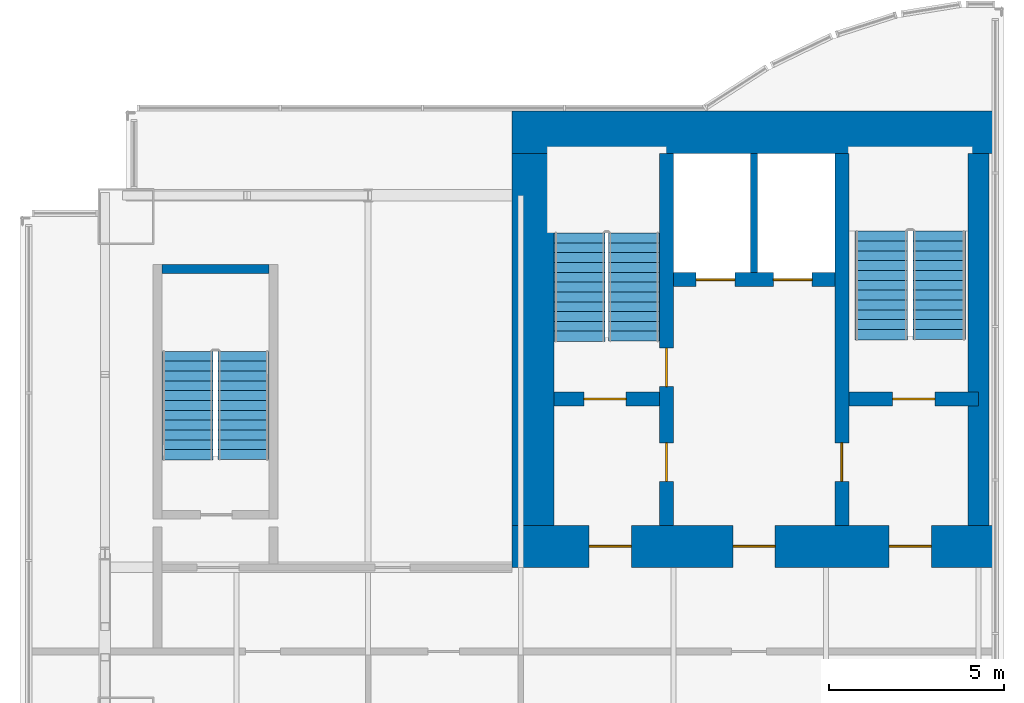
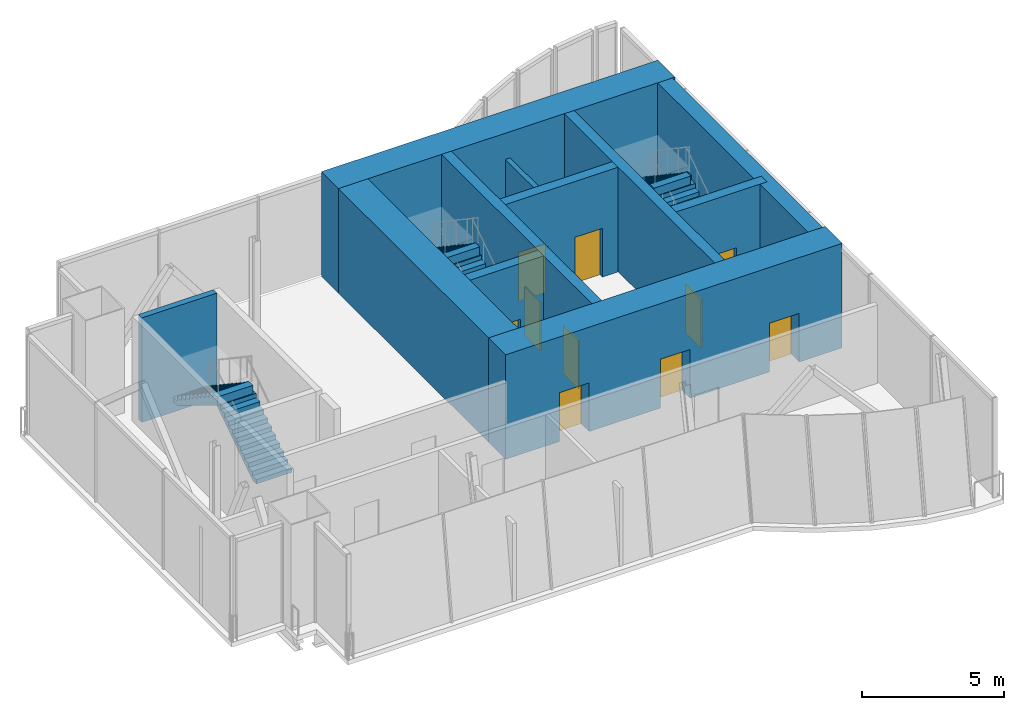
# One storey, part 4 of 6: 11 walls, 10 doors, 6 stair flights, 10 openings, 3 elements without a shape of their own.
"""IFC4 building model written with IfcOpenShell, lengths in metres."""

from ifc_helpers import new_model, si_unit, direction, frame, frame_2d, origin, place, context, subcontext, project, spatial, polyline, rectangle, outline, extrude, material, layer, layer_set, type_object, element, fill, aggregate, save


model = new_model("IFC4")

# Units and contexts
model_context = context("Model", 3, precision=1e-05, world=origin(), true_north=direction((0.0, 1.0)))
body_context = subcontext(model_context, "Body", "Model", "MODEL_VIEW")
ifc_project = project(units=[si_unit("LENGTHUNIT", "METRE"), si_unit("AREAUNIT", "SQUARE_METRE"), si_unit("VOLUMEUNIT", "CUBIC_METRE"), si_unit("PLANEANGLEUNIT", "RADIAN"), si_unit("MASSUNIT", "GRAM", prefix="KILO")], contexts=[model_context])

# Site, building, storey
site_placement = place(None, origin())
site = spatial("IfcSite", under=ifc_project, at=site_placement, CompositionType="ELEMENT")
building_placement = place(site_placement, origin())
building = spatial("IfcBuilding", under=site, at=building_placement, Name="Bicima Exchange Tower", CompositionType="ELEMENT")
storey_placement = place(building_placement, frame((0.0, 0.0, 365.89990234375)))
storey = spatial("IfcBuildingStorey", under=building, at=storey_placement, Name="L82", CompositionType="ELEMENT", Elevation=365.89990234375)

# Walls
ifc_material_1 = material(Name="Gypsum board partition")
ifc_layer_1 = layer(ifc_material_1, 0.199951171875)
ifc_layer_set_1 = layer_set([ifc_layer_1], Name="Gypsum board partition")
wall_type_1 = type_object("IfcWallType", Name="Fire-rated gypsum partition 200 EI120", PredefinedType="PARTITIONING", material=ifc_layer_set_1)
wall_1_placement = place(storey_placement, frame((-15.10009765625, -4.60009765625, 0.0), z_axis=(0.0, 0.0, 1.0), x_axis=(0.0, 1.0, 0.0)))
element("IfcWall", 1, at=wall_1_placement, inside=storey, type_object=wall_type_1, Name="partition wall 5", PredefinedType="PARTITIONING", context=body_context, shape_type="SweptSolid", body=[
    extrude(rectangle(XDim=3.400146484375, YDim=0.199951171875, at=frame_2d((1.7001953125, 0.0))), origin(), (0.0, 0.0, 1.0), 3.368408203125),
])
ifc_material_2 = material(Name="Concrete C40/50", Category="concrete")
ifc_layer_2 = layer(ifc_material_2, 1.199951171875)
ifc_layer_set_2 = layer_set([ifc_layer_2], Name="Concrete C40/50")
wall_type_2 = type_object("IfcWallType", Name="RC core wall 1200 C40/50", PredefinedType="SHEAR", material=ifc_layer_set_2)
wall_2_placement = place(storey_placement, frame((-22.0, -0.60009765625, 0.0), z_axis=(0.0, 0.0, 1.0), x_axis=(1.0, 0.0, 0.0)))
element("IfcWall", 2, at=wall_2_placement, inside=storey, type_object=wall_type_2, Name="Core wall north-W", PredefinedType="SHEAR", context=body_context, shape_type="SweptSolid", body=[
    extrude(rectangle(XDim=13.699951171875, YDim=1.199951171875, at=frame_2d((6.85009765625, 0.0))), origin(), (0.0, 0.0, 1.0), 4.5),
])

# Wall, openings, doors
wall_3_placement = place(storey_placement, frame((-22.0, -12.39990234375, 0.0), z_axis=(0.0, 0.0, 1.0), x_axis=(1.0, 0.0, 0.0)))
wall_3 = element("IfcWall", 3, at=wall_3_placement, inside=storey, type_object=wall_type_2, Name="Core wall south-W", PredefinedType="SHEAR", context=body_context, shape_type="SweptSolid", body=[
    extrude(rectangle(XDim=13.699951171875, YDim=1.199951171875, at=frame_2d((6.85009765625, 0.0))), origin(), (0.0, 0.0, 1.0), 4.5),
])
opening_1_placement = place(wall_3_placement, frame((2.199951171875, 0.0, 0.0)))
opening_1 = element("IfcOpeningElement", 4, at=opening_1_placement, cuts=wall_3, Name="Opening L82-C06", PredefinedType="OPENING", context=body_context, shape_type="SweptSolid", body=[
    extrude(rectangle(XDim=1.199951171875, YDim=2.10009765625, at=frame_2d((0.60009765625, 1.050048828125))), frame((0.0, 0.61181640625, 0.0), z_axis=(0.0, -1.0, 0.0), x_axis=(1.0, 0.0, 0.0)), (0.0, 0.0, 1.0), 1.223876953125),
])
opening_2_placement = place(wall_3_placement, frame((10.75, 0.0, 0.0)))
opening_2 = element("IfcOpeningElement", 5, at=opening_2_placement, cuts=wall_3, Name="Opening L82-C07", PredefinedType="OPENING", context=body_context, shape_type="SweptSolid", body=[
    extrude(rectangle(XDim=1.199951171875, YDim=2.10009765625, at=frame_2d((0.60009765625, 1.050048828125))), frame((0.0, 0.61181640625, 0.0), z_axis=(0.0, -1.0, 0.0), x_axis=(1.0, 0.0, 0.0)), (0.0, 0.0, 1.0), 1.223876953125),
])
opening_3_placement = place(wall_3_placement, frame((6.300048828125, 0.0, 0.0)))
opening_3 = element("IfcOpeningElement", 6, at=opening_3_placement, cuts=wall_3, Name="Opening L82-C08", PredefinedType="OPENING", context=body_context, shape_type="SweptSolid", body=[
    extrude(rectangle(XDim=1.199951171875, YDim=2.10009765625, at=frame_2d((0.60009765625, 1.050048828125))), frame((0.0, 0.61181640625, 0.0), z_axis=(0.0, -1.0, 0.0), x_axis=(1.0, 0.0, 0.0)), (0.0, 0.0, 1.0), 1.223876953125),
])
ifc_material_3 = material(Name="Steel fire door leaf", Category="steel")
door_type_1 = type_object("IfcDoorType", Name="Door 1200 swing FD60S", OperationType="SINGLE_SWING_LEFT", PredefinedType="DOOR", material=ifc_material_3)
door_1_placement = place(opening_1_placement, frame((1.199951171875, 0.0, 0.0), z_axis=(0.0, 0.0, 1.0), x_axis=(-1.0, 0.0, 0.0)))
door_1 = element("IfcDoor", 7, at=door_1_placement, inside=storey, type_object=door_type_1, Name="Core door", OperationType="SINGLE_SWING_RIGHT", OverallHeight=2.10009765625, OverallWidth=1.199951171875, PredefinedType="DOOR", context=body_context, shape_type="SweptSolid", body=[
    extrude(rectangle(XDim=1.199951171875, YDim=2.10009765625, at=frame_2d((0.60009765625, 1.050048828125))), frame((0.0, 0.02490234375, 0.0), z_axis=(0.0, -1.0, 0.0), x_axis=(1.0, 0.0, 0.0)), (0.0, 0.0, 1.0), 0.050048828125),
])
fill(opening_1, door_1)
door_2_placement = place(opening_2_placement, frame((1.199951171875, 0.0, 0.0), z_axis=(0.0, 0.0, 1.0), x_axis=(-1.0, 0.0, 0.0)))
door_2 = element("IfcDoor", 8, at=door_2_placement, inside=storey, type_object=door_type_1, Name="Core door", OperationType="SINGLE_SWING_RIGHT", OverallHeight=2.10009765625, OverallWidth=1.199951171875, PredefinedType="DOOR", context=body_context, shape_type="SweptSolid", body=[
    extrude(rectangle(XDim=1.199951171875, YDim=2.10009765625, at=frame_2d((0.60009765625, 1.050048828125))), frame((0.0, 0.02490234375, 0.0), z_axis=(0.0, -1.0, 0.0), x_axis=(1.0, 0.0, 0.0)), (0.0, 0.0, 1.0), 0.050048828125),
])
fill(opening_2, door_2)
door_3_placement = place(opening_3_placement, frame((1.199951171875, 0.0, 0.0), z_axis=(0.0, 0.0, 1.0), x_axis=(-1.0, 0.0, 0.0)))
door_3 = element("IfcDoor", 9, at=door_3_placement, inside=storey, type_object=door_type_1, Name="Core door", OperationType="SINGLE_SWING_RIGHT", OverallHeight=2.10009765625, OverallWidth=1.199951171875, PredefinedType="DOOR", context=body_context, shape_type="SweptSolid", body=[
    extrude(rectangle(XDim=1.199951171875, YDim=2.10009765625, at=frame_2d((0.60009765625, 1.050048828125))), frame((0.0, 0.02490234375, 0.0), z_axis=(0.0, -1.0, 0.0), x_axis=(1.0, 0.0, 0.0)), (0.0, 0.0, 1.0), 0.050048828125),
])
fill(opening_3, door_3)

# Wall
wall_4_placement = place(storey_placement, frame((-21.39990234375, -11.800048828125, 0.0), z_axis=(0.0, 0.0, 1.0), x_axis=(0.0, 1.0, 0.0)))
element("IfcWall", 10, at=wall_4_placement, inside=storey, type_object=wall_type_2, Name="Core wall outer-W", PredefinedType="SHEAR", context=body_context, shape_type="SweptSolid", body=[
    extrude(rectangle(XDim=10.60009765625, YDim=1.199951171875, at=frame_2d((5.300048828125, 0.0))), origin(), (0.0, 0.0, 1.0), 4.5),
])

# Wall, openings, doors
ifc_layer_3 = layer(ifc_material_2, 0.39990234375)
ifc_layer_set_3 = layer_set([ifc_layer_3], Name="Concrete C40/50")
wall_type_3 = type_object("IfcWallType", Name="RC core wall 400 C40/50", PredefinedType="SHEAR", material=ifc_layer_set_3)
wall_5_placement = place(storey_placement, frame((-17.39990234375, -4.800048828125, 0.0), z_axis=(0.0, 0.0, 1.0), x_axis=(1.0, 0.0, 0.0)))
wall_5 = element("IfcWall", 11, at=wall_5_placement, inside=storey, type_object=wall_type_3, Name="shear wall 3", PredefinedType="SHEAR", context=body_context, shape_type="SweptSolid", body=[
    extrude(rectangle(XDim=4.599853515625, YDim=0.39990234375, at=frame_2d((2.2998046875, 0.0))), origin(), (0.0, 0.0, 1.0), 4.5),
])
opening_4_placement = place(wall_5_placement, frame((0.64990234375, 0.0, 0.0)))
opening_4 = element("IfcOpeningElement", 12, at=opening_4_placement, cuts=wall_5, Name="Opening LD-FF1-L82", PredefinedType="OPENING", context=body_context, shape_type="SweptSolid", body=[
    extrude(rectangle(XDim=1.10009765625, YDim=2.10009765625, at=frame_2d((0.550048828125, 1.050048828125))), frame((0.0, 0.2119140625, 0.0), z_axis=(0.0, -1.0, 0.0), x_axis=(1.0, 0.0, 0.0)), (0.0, 0.0, 1.0), 0.423828125),
])
opening_5_placement = place(wall_5_placement, frame((2.85009765625, 0.0, 0.0)))
opening_5 = element("IfcOpeningElement", 13, at=opening_5_placement, cuts=wall_5, Name="Opening LD-FF3-L82", PredefinedType="OPENING", context=body_context, shape_type="SweptSolid", body=[
    extrude(rectangle(XDim=1.10009765625, YDim=2.10009765625, at=frame_2d((0.550048828125, 1.050048828125))), frame((0.0, 0.2119140625, 0.0), z_axis=(0.0, -1.0, 0.0), x_axis=(1.0, 0.0, 0.0)), (0.0, 0.0, 1.0), 0.423828125),
])
ifc_material_4 = material(Name="Stainless steel", Category="steel")
door_type_2 = type_object("IfcDoorType", Name="Lift landing door 1100 sliding", OperationType="DOUBLE_DOOR_SLIDING", PredefinedType="DOOR", material=ifc_material_4)
door_4_placement = place(opening_4_placement, origin())
door_4 = element("IfcDoor", 14, at=door_4_placement, inside=storey, type_object=door_type_2, Name="Lift landing door FF1", OperationType="DOUBLE_DOOR_SLIDING", OverallHeight=2.10009765625, OverallWidth=1.10009765625, PredefinedType="DOOR", context=body_context, shape_type="SweptSolid", body=[
    extrude(rectangle(XDim=1.10009765625, YDim=2.10009765625, at=frame_2d((0.550048828125, 1.050048828125))), frame((0.0, 0.02490234375, 0.0), z_axis=(0.0, -1.0, 0.0), x_axis=(1.0, 0.0, 0.0)), (0.0, 0.0, 1.0), 0.050048828125),
])
fill(opening_4, door_4)
door_5_placement = place(opening_5_placement, origin())
door_5 = element("IfcDoor", 15, at=door_5_placement, inside=storey, type_object=door_type_2, Name="Lift landing door FF3", OperationType="DOUBLE_DOOR_SLIDING", OverallHeight=2.10009765625, OverallWidth=1.10009765625, PredefinedType="DOOR", context=body_context, shape_type="SweptSolid", body=[
    extrude(rectangle(XDim=1.10009765625, YDim=2.10009765625, at=frame_2d((0.550048828125, 1.050048828125))), frame((0.0, 0.02490234375, 0.0), z_axis=(0.0, -1.0, 0.0), x_axis=(1.0, 0.0, 0.0)), (0.0, 0.0, 1.0), 0.050048828125),
])
fill(opening_5, door_5)

# Wall, opening, door
ifc_material_5 = material(Name="Concrete C50/60", Category="concrete")
ifc_layer_4 = layer(ifc_material_5, 0.39990234375)
ifc_layer_set_4 = layer_set([ifc_layer_4], Name="Concrete C50/60")
wall_type_4 = type_object("IfcWallType", Name="RC core wall 400 C50/60", PredefinedType="SHEAR", material=ifc_layer_set_4)
wall_6_placement = place(storey_placement, frame((-20.800048828125, -8.199951171875, 0.0), z_axis=(0.0, 0.0, 1.0), x_axis=(1.0, 0.0, 0.0)))
wall_6 = element("IfcWall", 16, at=wall_6_placement, inside=storey, type_object=wall_type_4, Name="stair wall 1", PredefinedType="SHEAR", context=body_context, shape_type="SweptSolid", body=[
    extrude(rectangle(XDim=3.0, YDim=0.39990234375, at=frame_2d((1.5, 0.0))), origin(), (0.0, 0.0, 1.0), 4.5),
])
opening_6_placement = place(wall_6_placement, frame((0.85009765625, 0.0, 0.0)))
opening_6 = element("IfcOpeningElement", 17, at=opening_6_placement, cuts=wall_6, Name="Opening L82-C01", PredefinedType="OPENING", context=body_context, shape_type="SweptSolid", body=[
    extrude(rectangle(XDim=1.199951171875, YDim=2.10009765625, at=frame_2d((0.60009765625, 1.050048828125))), frame((0.0, 0.2119140625, 0.0), z_axis=(0.0, -1.0, 0.0), x_axis=(1.0, 0.0, 0.0)), (0.0, 0.0, 1.0), 0.423828125),
])
door_6_placement = place(opening_6_placement, origin())
door_6 = element("IfcDoor", 18, at=door_6_placement, inside=storey, type_object=door_type_1, Name="Core door", OperationType="SINGLE_SWING_LEFT", OverallHeight=2.10009765625, OverallWidth=1.199951171875, PredefinedType="DOOR", context=body_context, shape_type="SweptSolid", body=[
    extrude(rectangle(XDim=1.199951171875, YDim=2.10009765625, at=frame_2d((0.60009765625, 1.050048828125))), frame((0.0, 0.02490234375, 0.0), z_axis=(0.0, -1.0, 0.0), x_axis=(1.0, 0.0, 0.0)), (0.0, 0.0, 1.0), 0.050048828125),
])
fill(opening_6, door_6)

wall_7_placement = place(storey_placement, frame((-12.39990234375, -8.199951171875, 0.0), z_axis=(0.0, 0.0, 1.0), x_axis=(1.0, 0.0, 0.0)))
wall_7 = element("IfcWall", 19, at=wall_7_placement, inside=storey, type_object=wall_type_4, Name="stair wall 2", PredefinedType="SHEAR", context=body_context, shape_type="SweptSolid", body=[
    extrude(rectangle(XDim=3.699951171875, YDim=0.39990234375, at=frame_2d((1.85009765625, 0.0))), origin(), (0.0, 0.0, 1.0), 4.5),
])
opening_7_placement = place(wall_7_placement, frame((1.25, 0.0, 0.0)))
opening_7 = element("IfcOpeningElement", 20, at=opening_7_placement, cuts=wall_7, Name="Opening L82-C03", PredefinedType="OPENING", context=body_context, shape_type="SweptSolid", body=[
    extrude(rectangle(XDim=1.199951171875, YDim=2.10009765625, at=frame_2d((0.60009765625, 1.050048828125))), frame((0.0, 0.2119140625, 0.0), z_axis=(0.0, -1.0, 0.0), x_axis=(1.0, 0.0, 0.0)), (0.0, 0.0, 1.0), 0.423828125),
])
door_7_placement = place(opening_7_placement, origin())
door_7 = element("IfcDoor", 21, at=door_7_placement, inside=storey, type_object=door_type_1, Name="Core door", OperationType="SINGLE_SWING_LEFT", OverallHeight=2.10009765625, OverallWidth=1.199951171875, PredefinedType="DOOR", context=body_context, shape_type="SweptSolid", body=[
    extrude(rectangle(XDim=1.199951171875, YDim=2.10009765625, at=frame_2d((0.60009765625, 1.050048828125))), frame((0.0, 0.02490234375, 0.0), z_axis=(0.0, -1.0, 0.0), x_axis=(1.0, 0.0, 0.0)), (0.0, 0.0, 1.0), 0.050048828125),
])
fill(opening_7, door_7)

# Wall, openings, doors
wall_8_placement = place(storey_placement, frame((-17.60009765625, -11.800048828125, 0.0), z_axis=(0.0, 0.0, 1.0), x_axis=(0.0, 1.0, 0.0)))
wall_8 = element("IfcWall", 22, at=wall_8_placement, inside=storey, type_object=wall_type_4, Name="stair wall 4", PredefinedType="SHEAR", context=body_context, shape_type="SweptSolid", body=[
    extrude(rectangle(XDim=10.60009765625, YDim=0.39990234375, at=frame_2d((5.300048828125, 0.0))), origin(), (0.0, 0.0, 1.0), 4.5),
])
opening_8_placement = place(wall_8_placement, frame((1.25, 0.0, 0.0)))
opening_8 = element("IfcOpeningElement", 23, at=opening_8_placement, cuts=wall_8, Name="Opening L82-C02", PredefinedType="OPENING", context=body_context, shape_type="SweptSolid", body=[
    extrude(rectangle(XDim=1.10009765625, YDim=2.10009765625, at=frame_2d((0.550048828125, 1.050048828125))), frame((0.0, 0.2119140625, 0.0), z_axis=(0.0, -1.0, 0.0), x_axis=(1.0, 0.0, 0.0)), (0.0, 0.0, 1.0), 0.423828125),
])
opening_9_placement = place(wall_8_placement, frame((3.949951171875, 0.0, 0.0)))
opening_9 = element("IfcOpeningElement", 24, at=opening_9_placement, cuts=wall_8, Name="Opening L82-C05", PredefinedType="OPENING", context=body_context, shape_type="SweptSolid", body=[
    extrude(rectangle(XDim=1.10009765625, YDim=2.10009765625, at=frame_2d((0.550048828125, 1.050048828125))), frame((0.0, 0.2119140625, 0.0), z_axis=(0.0, -1.0, 0.0), x_axis=(1.0, 0.0, 0.0)), (0.0, 0.0, 1.0), 0.423828125),
])
door_type_3 = type_object("IfcDoorType", Name="Door 1100 swing FD60S", OperationType="SINGLE_SWING_LEFT", PredefinedType="DOOR", material=ifc_material_3)
door_8_placement = place(opening_8_placement, frame((1.10009765625, 0.0, 0.0), z_axis=(0.0, 0.0, 1.0), x_axis=(-1.0, 0.0, 0.0)))
door_8 = element("IfcDoor", 25, at=door_8_placement, inside=storey, type_object=door_type_3, Name="Core door", OperationType="SINGLE_SWING_LEFT", OverallHeight=2.10009765625, OverallWidth=1.10009765625, PredefinedType="DOOR", context=body_context, shape_type="SweptSolid", body=[
    extrude(rectangle(XDim=1.10009765625, YDim=2.10009765625, at=frame_2d((0.550048828125, 1.050048828125))), frame((0.0, 0.02490234375, 0.0), z_axis=(0.0, -1.0, 0.0), x_axis=(1.0, 0.0, 0.0)), (0.0, 0.0, 1.0), 0.050048828125),
])
fill(opening_8, door_8)
door_9_placement = place(opening_9_placement, frame((1.10009765625, 0.0, 0.0), z_axis=(0.0, 0.0, 1.0), x_axis=(-1.0, 0.0, 0.0)))
door_9 = element("IfcDoor", 26, at=door_9_placement, inside=storey, type_object=door_type_3, Name="Core door", OperationType="SINGLE_SWING_RIGHT", OverallHeight=2.10009765625, OverallWidth=1.10009765625, PredefinedType="DOOR", context=body_context, shape_type="SweptSolid", body=[
    extrude(rectangle(XDim=1.10009765625, YDim=2.10009765625, at=frame_2d((0.550048828125, 1.050048828125))), frame((0.0, 0.02490234375, 0.0), z_axis=(0.0, -1.0, 0.0), x_axis=(1.0, 0.0, 0.0)), (0.0, 0.0, 1.0), 0.050048828125),
])
fill(opening_9, door_9)

# Wall, opening, door
wall_9_placement = place(storey_placement, frame((-12.60009765625, -11.800048828125, 0.0), z_axis=(0.0, 0.0, 1.0), x_axis=(0.0, 1.0, 0.0)))
wall_9 = element("IfcWall", 27, at=wall_9_placement, inside=storey, type_object=wall_type_4, Name="stair wall 6", PredefinedType="SHEAR", context=body_context, shape_type="SweptSolid", body=[
    extrude(rectangle(XDim=10.60009765625, YDim=0.39990234375, at=frame_2d((5.300048828125, 0.0))), origin(), (0.0, 0.0, 1.0), 4.5),
])
opening_10_placement = place(wall_9_placement, frame((1.25, 0.0, 0.0)))
opening_10 = element("IfcOpeningElement", 28, at=opening_10_placement, cuts=wall_9, Name="Opening L82-C04", PredefinedType="OPENING", context=body_context, shape_type="SweptSolid", body=[
    extrude(rectangle(XDim=1.10009765625, YDim=2.10009765625, at=frame_2d((0.550048828125, 1.050048828125))), frame((0.0, 0.2119140625, 0.0), z_axis=(0.0, -1.0, 0.0), x_axis=(1.0, 0.0, 0.0)), (0.0, 0.0, 1.0), 0.423828125),
])
door_10_placement = place(opening_10_placement, origin())
door_10 = element("IfcDoor", 29, at=door_10_placement, inside=storey, type_object=door_type_3, Name="Core door", OperationType="SINGLE_SWING_RIGHT", OverallHeight=2.10009765625, OverallWidth=1.10009765625, PredefinedType="DOOR", context=body_context, shape_type="SweptSolid", body=[
    extrude(rectangle(XDim=1.10009765625, YDim=2.10009765625, at=frame_2d((0.550048828125, 1.050048828125))), frame((0.0, 0.02490234375, 0.0), z_axis=(0.0, -1.0, 0.0), x_axis=(1.0, 0.0, 0.0)), (0.0, 0.0, 1.0), 0.050048828125),
])
fill(opening_10, door_10)

# Walls
ifc_layer_5 = layer(ifc_material_2, 0.60009765625)
ifc_layer_set_5 = layer_set([ifc_layer_5], Name="Concrete C40/50")
wall_type_5 = type_object("IfcWallType", Name="RC core wall 600 C40/50", PredefinedType="SHEAR", material=ifc_layer_set_5)
wall_10_placement = place(storey_placement, frame((-8.699951171875, -11.800048828125, 0.0), z_axis=(0.0, 0.0, 1.0), x_axis=(0.0, 1.0, 0.0)))
element("IfcWall", 30, at=wall_10_placement, inside=storey, type_object=wall_type_5, Name="Core wall close-W", PredefinedType="SHEAR", context=body_context, shape_type="SweptSolid", body=[
    extrude(rectangle(XDim=10.60009765625, YDim=0.60009765625, at=frame_2d((5.300048828125, 0.0))), origin(), (0.0, 0.0, 1.0), 4.5),
])
ifc_layer_6 = layer(ifc_material_5, 0.25)
ifc_layer_set_6 = layer_set([ifc_layer_6], Name="Concrete C50/60")
wall_type_6 = type_object("IfcWallType", Name="RC stair enclosure wall 250 C50/60", PredefinedType="SHEAR", material=ifc_layer_set_6)
wall_11_placement = place(storey_placement, frame((-31.97509765625, -4.5, 0.0), z_axis=(0.0, 0.0, 1.0), x_axis=(1.0, 0.0, 0.0)))
element("IfcWall", 31, at=wall_11_placement, inside=storey, type_object=wall_type_6, Name="West end exit stair wall N", PredefinedType="SHEAR", context=body_context, shape_type="SweptSolid", body=[
    extrude(rectangle(XDim=3.050048828125, YDim=0.25, at=frame_2d((1.52490234375, 0.0))), origin(), (0.0, 0.0, 1.0), 4.5),
])

# Stair, stair flights
stair_type_1 = type_object("IfcStairType", Name="Exit stair", PredefinedType="HALF_TURN_STAIR", material=ifc_material_5)
stair_1_placement = place(storey_placement, origin())
stair_1 = element("IfcStair", 32, at=stair_1_placement, inside=storey, type_object=stair_type_1, Name="L82 West exit stair", PredefinedType="HALF_TURN_STAIR")
stair_flight_type_1 = type_object("IfcStairFlightType", Name="Stair flight RC", PredefinedType="STRAIGHT", material=ifc_material_5)
stair_flight_1_placement = place(storey_placement, frame((-18.52490234375, -6.550048828125, 0.0), z_axis=(0.0, 0.0, 1.0), x_axis=(0.0, 1.0, 0.0)))
stair_flight_1 = element("IfcStairFlight", 33, at=stair_flight_1_placement, type_object=stair_flight_type_1, Name="ST-W flight 1", NumberOfRisers=12, NumberOfTreads=11, PredefinedType="STRAIGHT", RiserHeight=0.1875, TreadLength=0.28, context=body_context, shape_type="SweptSolid", body=[
    extrude(outline(polyline([(0.0, 0.0), (0.0, 0.1875), (0.280029296875, 0.1875), (0.280029296875, 0.375), (0.56005859375, 0.375), (0.56005859375, 0.5625), (0.840087890625, 0.5625), (0.840087890625, 0.75), (1.1201171875, 0.75), (1.1201171875, 0.9375), (1.39990234375, 0.9375), (1.39990234375, 1.125), (1.679931640625, 1.125), (1.679931640625, 1.3125), (1.9599609375, 1.3125), (1.9599609375, 1.5), (2.239990234375, 1.5), (2.239990234375, 1.6875), (2.52001953125, 1.6875), (2.52001953125, 1.875), (2.800048828125, 1.875), (2.800048828125, 2.0625), (3.080078125, 2.0625), (3.080078125, 2.25), (3.080078125, 1.882080078125), (0.26953125, 0.0), (0.0, 0.0)])), frame((0.0, 0.72509765625, 0.0), z_axis=(0.0, -1.0, 0.0), x_axis=(1.0, 0.0, 0.0)), (0.0, 0.0, 1.0), 1.449951171875),
])
stair_flight_2_placement = place(storey_placement, frame((-20.074951171875, -3.469970703125, 2.25), z_axis=(0.0, 0.0, 1.0), x_axis=(0.0, -1.0, 0.0)))
stair_flight_2 = element("IfcStairFlight", 34, at=stair_flight_2_placement, type_object=stair_flight_type_1, Name="ST-W flight 2", NumberOfRisers=12, NumberOfTreads=11, PredefinedType="STRAIGHT", RiserHeight=0.1875, TreadLength=0.28, context=body_context, shape_type="SweptSolid", body=[
    extrude(outline(polyline([(0.0, 0.0), (0.0, 0.1875), (0.280029296875, 0.1875), (0.280029296875, 0.375), (0.56005859375, 0.375), (0.56005859375, 0.5625), (0.840087890625, 0.5625), (0.840087890625, 0.75), (1.1201171875, 0.75), (1.1201171875, 0.9375), (1.39990234375, 0.9375), (1.39990234375, 1.125), (1.679931640625, 1.125), (1.679931640625, 1.3125), (1.9599609375, 1.3125), (1.9599609375, 1.5), (2.239990234375, 1.5), (2.239990234375, 1.6875), (2.52001953125, 1.6875), (2.52001953125, 1.875), (2.800048828125, 1.875), (2.800048828125, 2.0625), (3.080078125, 2.0625), (3.094970703125, 2.0625), (3.094970703125, 1.70458984375), (0.26953125, 0.0), (0.0, 0.0)])), frame((0.0, 0.72509765625, 0.0), z_axis=(0.0, -1.0, 0.0), x_axis=(1.0, 0.0, 0.0)), (0.0, 0.0, 1.0), 1.449951171875),
])
aggregate(stair_1, [stair_flight_1, stair_flight_2])

stair_2_placement = place(storey_placement, origin())
stair_2 = element("IfcStair", 35, at=stair_2_placement, inside=storey, type_object=stair_type_1, Name="L82 West end exit stair", PredefinedType="HALF_TURN_STAIR")
stair_flight_3_placement = place(storey_placement, frame((-29.64990234375, -9.925048828125, 0.0), z_axis=(0.0, 0.0, 1.0), x_axis=(0.0, 1.0, 0.0)))
stair_flight_3 = element("IfcStairFlight", 36, at=stair_flight_3_placement, type_object=stair_flight_type_1, Name="ST-WW flight 1", NumberOfRisers=12, NumberOfTreads=11, PredefinedType="STRAIGHT", RiserHeight=0.1875, TreadLength=0.28, context=body_context, shape_type="SweptSolid", body=[
    extrude(outline(polyline([(0.0, 0.0), (0.0, 0.1875), (0.280029296875, 0.1875), (0.280029296875, 0.375), (0.56005859375, 0.375), (0.56005859375, 0.5625), (0.840087890625, 0.5625), (0.840087890625, 0.75), (1.1201171875, 0.75), (1.1201171875, 0.9375), (1.39990234375, 0.9375), (1.39990234375, 1.125), (1.679931640625, 1.125), (1.679931640625, 1.3125), (1.9599609375, 1.3125), (1.9599609375, 1.5), (2.239990234375, 1.5), (2.239990234375, 1.6875), (2.52001953125, 1.6875), (2.52001953125, 1.875), (2.800048828125, 1.875), (2.800048828125, 2.0625), (3.080078125, 2.0625), (3.080078125, 2.25), (3.080078125, 1.882080078125), (0.26953125, 0.0), (0.0, 0.0)])), frame((0.0, 0.72509765625, 0.0), z_axis=(0.0, -1.0, 0.0), x_axis=(1.0, 0.0, 0.0)), (0.0, 0.0, 1.0), 1.449951171875),
])
stair_flight_4_placement = place(storey_placement, frame((-31.25, -6.844970703125, 2.25), z_axis=(0.0, 0.0, 1.0), x_axis=(0.0, -1.0, 0.0)))
stair_flight_4 = element("IfcStairFlight", 37, at=stair_flight_4_placement, type_object=stair_flight_type_1, Name="ST-WW flight 2", NumberOfRisers=12, NumberOfTreads=11, PredefinedType="STRAIGHT", RiserHeight=0.1875, TreadLength=0.28, context=body_context, shape_type="SweptSolid", body=[
    extrude(outline(polyline([(0.0, 0.0), (0.0, 0.1875), (0.280029296875, 0.1875), (0.280029296875, 0.375), (0.56005859375, 0.375), (0.56005859375, 0.5625), (0.840087890625, 0.5625), (0.840087890625, 0.75), (1.1201171875, 0.75), (1.1201171875, 0.9375), (1.39990234375, 0.9375), (1.39990234375, 1.125), (1.679931640625, 1.125), (1.679931640625, 1.3125), (1.9599609375, 1.3125), (1.9599609375, 1.5), (2.239990234375, 1.5), (2.239990234375, 1.6875), (2.52001953125, 1.6875), (2.52001953125, 1.875), (2.800048828125, 1.875), (2.800048828125, 2.0625), (3.080078125, 2.0625), (3.094970703125, 2.0625), (3.094970703125, 1.70458984375), (0.26953125, 0.0), (0.0, 0.0)])), frame((0.0, 0.72509765625, 0.0), z_axis=(0.0, -1.0, 0.0), x_axis=(1.0, 0.0, 0.0)), (0.0, 0.0, 1.0), 1.449951171875),
])
aggregate(stair_2, [stair_flight_3, stair_flight_4])

stair_type_2 = type_object("IfcStairType", Name="Exit stair 1500", PredefinedType="HALF_TURN_STAIR", material=ifc_material_5)
stair_3_placement = place(storey_placement, origin())
stair_3 = element("IfcStair", 38, at=stair_3_placement, inside=storey, type_object=stair_type_2, Name="L82 Crown exit stair", PredefinedType="HALF_TURN_STAIR")
stair_flight_type_2 = type_object("IfcStairFlightType", Name="Stair flight RC 1500", PredefinedType="STRAIGHT", material=ifc_material_5)
stair_flight_5_placement = place(storey_placement, frame((-9.824951171875, -6.5, 0.0), z_axis=(0.0, 0.0, 1.0), x_axis=(0.0, 1.0, 0.0)))
stair_flight_5 = element("IfcStairFlight", 39, at=stair_flight_5_placement, type_object=stair_flight_type_2, Name="ST-CR flight 1", NumberOfRisers=12, NumberOfTreads=11, PredefinedType="STRAIGHT", RiserHeight=0.1875, TreadLength=0.28, context=body_context, shape_type="SweptSolid", body=[
    extrude(outline(polyline([(0.0, 0.0), (0.0, 0.1875), (0.280029296875, 0.1875), (0.280029296875, 0.375), (0.56005859375, 0.375), (0.56005859375, 0.5625), (0.840087890625, 0.5625), (0.840087890625, 0.75), (1.1201171875, 0.75), (1.1201171875, 0.9375), (1.39990234375, 0.9375), (1.39990234375, 1.125), (1.679931640625, 1.125), (1.679931640625, 1.3125), (1.9599609375, 1.3125), (1.9599609375, 1.5), (2.239990234375, 1.5), (2.239990234375, 1.6875), (2.52001953125, 1.6875), (2.52001953125, 1.875), (2.800048828125, 1.875), (2.800048828125, 2.0625), (3.080078125, 2.0625), (3.080078125, 2.25), (3.080078125, 1.882080078125), (0.26953125, 0.0), (0.0, 0.0)])), frame((0.0, 0.75, 0.0), z_axis=(0.0, -1.0, 0.0), x_axis=(1.0, 0.0, 0.0)), (0.0, 0.0, 1.0), 1.5),
])
stair_flight_6_placement = place(storey_placement, frame((-11.47509765625, -3.419921875, 2.25), z_axis=(0.0, 0.0, 1.0), x_axis=(0.0, -1.0, 0.0)))
stair_flight_6 = element("IfcStairFlight", 40, at=stair_flight_6_placement, type_object=stair_flight_type_2, Name="ST-CR flight 2", NumberOfRisers=12, NumberOfTreads=11, PredefinedType="STRAIGHT", RiserHeight=0.1875, TreadLength=0.28, context=body_context, shape_type="SweptSolid", body=[
    extrude(outline(polyline([(0.0, 0.0), (0.0, 0.1875), (0.280029296875, 0.1875), (0.280029296875, 0.375), (0.56005859375, 0.375), (0.56005859375, 0.5625), (0.840087890625, 0.5625), (0.840087890625, 0.75), (1.1201171875, 0.75), (1.1201171875, 0.9375), (1.39990234375, 0.9375), (1.39990234375, 1.125), (1.679931640625, 1.125), (1.679931640625, 1.3125), (1.9599609375, 1.3125), (1.9599609375, 1.5), (2.239990234375, 1.5), (2.239990234375, 1.6875), (2.52001953125, 1.6875), (2.52001953125, 1.875), (2.800048828125, 1.875), (2.800048828125, 2.0625), (3.080078125, 2.0625), (3.094970703125, 2.0625), (3.094970703125, 1.70458984375), (0.26953125, 0.0), (0.0, 0.0)])), frame((0.0, 0.75, 0.0), z_axis=(0.0, -1.0, 0.0), x_axis=(1.0, 0.0, 0.0)), (0.0, 0.0, 1.0), 1.5),
])
aggregate(stair_3, [stair_flight_5, stair_flight_6])

save(model, "model.ifc")
